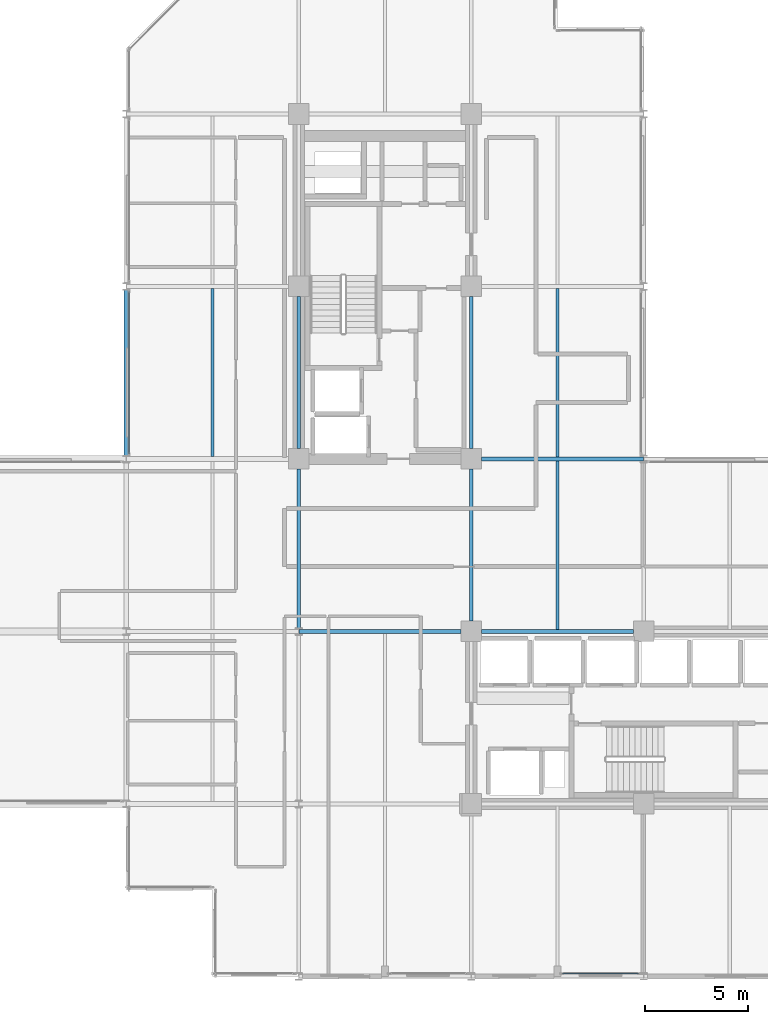
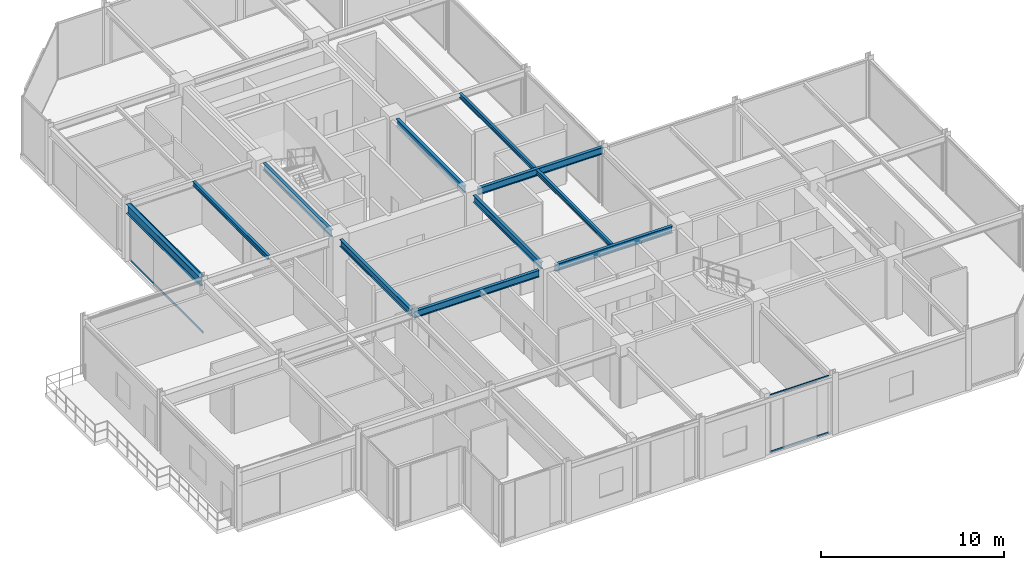
# One storey, part 10 of 29: 11 beams, 4 members, 2 elements without a shape of their own.
"""IFC4 building model written with IfcOpenShell, lengths in metres."""

from ifc_helpers import new_model, si_unit, direction, frame, origin, origin_2d, place, context, subcontext, project, spatial, hollow_rectangle, i_section, extrude, material, layer, layer_set, material_profile, profile_set, type_object, element, aggregate, save


model = new_model("IFC4")

# Units and contexts
model_context = context("Model", 3, precision=1e-05, world=origin(), true_north=direction((0.0, 1.0)))
body_context = subcontext(model_context, "Body", "Model", "MODEL_VIEW")
ifc_project = project(units=[si_unit("LENGTHUNIT", "METRE"), si_unit("AREAUNIT", "SQUARE_METRE"), si_unit("VOLUMEUNIT", "CUBIC_METRE"), si_unit("PLANEANGLEUNIT", "RADIAN"), si_unit("MASSUNIT", "GRAM", prefix="KILO")], contexts=[model_context])

# Site, building, storey
site_placement = place(None, origin())
site = spatial("IfcSite", under=ifc_project, at=site_placement, CompositionType="ELEMENT")
building_placement = place(site_placement, origin())
building = spatial("IfcBuilding", under=site, at=building_placement, Name="Nerrivon Quay Data Exchange", CompositionType="ELEMENT")
storey_placement = place(building_placement, frame((0.0, 0.0, 183.699951171875)))
storey = spatial("IfcBuildingStorey", under=building, at=storey_placement, Name="L43", CompositionType="ELEMENT", Elevation=183.699951171875)

# Beams
ifc_material_1 = material(Name="Steel Grade 350", Category="steel")
ifc_material_profile_1 = material_profile(ifc_material_1, i_section(OverallWidth=0.22802734375, OverallDepth=0.60205078125, WebThickness=0.010498046875, FlangeThickness=0.014892578125, FilletRadius=0.013916015625, at=origin_2d()), Name="610UB101")
ifc_profile_set_1 = profile_set([ifc_material_profile_1], Name="Steel Grade 350")
beam_type_1 = type_object("IfcBeamType", Name="BM-G2-610UB101", PredefinedType="BEAM", material=ifc_profile_set_1)
beam_1_placement = place(storey_placement, frame((0.0, 25.375, 3.524169921875), z_axis=(0.0, 1.0, 0.0), x_axis=(-1.0, 0.0, 0.0)))
element("IfcBeam", 1, at=beam_1_placement, inside=storey, type_object=beam_type_1, Name="L43 NS Girder X=0.0 (25.2..33.6)", PredefinedType="BEAM", context=body_context, shape_type="SweptSolid", body=[
    extrude(i_section(OverallWidth=0.22802734375, OverallDepth=0.60205078125, WebThickness=0.010498046875, FlangeThickness=0.014892578125, FilletRadius=0.013916015625, at=origin_2d()), origin(), (0.0, 0.0, 1.0), 8.050048828125),
])
ifc_material_profile_2 = material_profile(ifc_material_1, i_section(OverallWidth=0.19091796875, OverallDepth=0.4599609375, WebThickness=0.010009765625, FlangeThickness=0.01611328125, FilletRadius=0.011474609375, at=origin_2d()), Name="460UB82.1")
ifc_profile_set_2 = profile_set([ifc_material_profile_2], Name="Steel Grade 350")
beam_type_2 = type_object("IfcBeamType", Name="BM-G5-460UB82", PredefinedType="BEAM", material=ifc_profile_set_2)
beam_2_placement = place(storey_placement, frame((8.409912109375, 16.800048828125, 3.594970703125), z_axis=(1.0, 0.0, 0.0), x_axis=(0.0, 1.0, 0.0)))
element("IfcBeam", 2, at=beam_2_placement, inside=storey, type_object=beam_type_2, Name="L43 EW Girder Y=16.8 (8.4..16.8)", PredefinedType="BEAM", context=body_context, shape_type="SweptSolid", body=[
    extrude(i_section(OverallWidth=0.19091796875, OverallDepth=0.4599609375, WebThickness=0.010009765625, FlangeThickness=0.01611328125, FilletRadius=0.011474609375, at=origin_2d()), origin(), (0.0, 0.0, 1.0), 7.89013671875),
])
beam_3_placement = place(storey_placement, frame((17.300048828125, 16.800048828125, 3.594970703125), z_axis=(1.0, 0.0, 0.0), x_axis=(0.0, 1.0, 0.0)))
element("IfcBeam", 3, at=beam_3_placement, inside=storey, type_object=beam_type_2, Name="L43 EW Girder Y=16.8 (16.8..25.2)", PredefinedType="BEAM", context=body_context, shape_type="SweptSolid", body=[
    extrude(i_section(OverallWidth=0.19091796875, OverallDepth=0.4599609375, WebThickness=0.010009765625, FlangeThickness=0.01611328125, FilletRadius=0.011474609375, at=origin_2d()), origin(), (0.0, 0.0, 1.0), 7.39990234375),
])
beam_4_placement = place(storey_placement, frame((17.300048828125, 25.199951171875, 3.594970703125), z_axis=(1.0, 0.0, 0.0), x_axis=(0.0, 1.0, 0.0)))
element("IfcBeam", 4, at=beam_4_placement, inside=storey, type_object=beam_type_2, Name="L43 EW Girder Y=25.2 (16.8..25.2)", PredefinedType="BEAM", context=body_context, shape_type="SweptSolid", body=[
    extrude(i_section(OverallWidth=0.19091796875, OverallDepth=0.4599609375, WebThickness=0.010009765625, FlangeThickness=0.01611328125, FilletRadius=0.011474609375, at=origin_2d()), origin(), (0.0, 0.0, 1.0), 7.889892578125),
])
ifc_material_profile_3 = material_profile(ifc_material_1, i_section(OverallWidth=0.18994140625, OverallDepth=0.4541015625, WebThickness=0.008544921875, FlangeThickness=0.0126953125, FilletRadius=0.011474609375, at=origin_2d()), Name="460UB67.1")
ifc_profile_set_3 = profile_set([ifc_material_profile_3], Name="Steel Grade 350")
beam_type_3 = type_object("IfcBeamType", Name="BM-G6-460UB67", PredefinedType="BEAM", material=ifc_profile_set_3)
beam_5_placement = place(storey_placement, frame((8.39990234375, 16.97509765625, 3.59814453125), z_axis=(0.0, 1.0, 0.0), x_axis=(-1.0, 0.0, 0.0)))
element("IfcBeam", 5, at=beam_5_placement, inside=storey, type_object=beam_type_3, Name="L43 NS Girder X=8.4 (16.8..25.2)", PredefinedType="BEAM", context=body_context, shape_type="SweptSolid", body=[
    extrude(i_section(OverallWidth=0.18994140625, OverallDepth=0.4541015625, WebThickness=0.008544921875, FlangeThickness=0.0126953125, FilletRadius=0.011474609375, at=origin_2d()), origin(), (0.0, 0.0, 1.0), 7.724853515625),
])
beam_6_placement = place(storey_placement, frame((8.39990234375, 25.699951171875, 3.59814453125), z_axis=(0.0, 1.0, 0.0), x_axis=(-1.0, 0.0, 0.0)))
element("IfcBeam", 6, at=beam_6_placement, inside=storey, type_object=beam_type_3, Name="L43 NS Girder X=8.4 (25.2..33.6)", PredefinedType="BEAM", context=body_context, shape_type="SweptSolid", body=[
    extrude(i_section(OverallWidth=0.18994140625, OverallDepth=0.4541015625, WebThickness=0.008544921875, FlangeThickness=0.0126953125, FilletRadius=0.011474609375, at=origin_2d()), origin(), (0.0, 0.0, 1.0), 7.400146484375),
])
beam_7_placement = place(storey_placement, frame((16.800048828125, 17.300048828125, 3.59814453125), z_axis=(0.0, 1.0, 0.0), x_axis=(-1.0, 0.0, 0.0)))
element("IfcBeam", 7, at=beam_7_placement, inside=storey, type_object=beam_type_3, Name="L43 NS Girder X=16.8 (16.8..25.2)", PredefinedType="BEAM", context=body_context, shape_type="SweptSolid", body=[
    extrude(i_section(OverallWidth=0.18994140625, OverallDepth=0.4541015625, WebThickness=0.008544921875, FlangeThickness=0.0126953125, FilletRadius=0.011474609375, at=origin_2d()), origin(), (0.0, 0.0, 1.0), 7.39990234375),
])
beam_8_placement = place(storey_placement, frame((16.800048828125, 25.699951171875, 3.59814453125), z_axis=(0.0, 1.0, 0.0), x_axis=(-1.0, 0.0, 0.0)))
element("IfcBeam", 8, at=beam_8_placement, inside=storey, type_object=beam_type_3, Name="L43 NS Girder X=16.8 (25.2..33.6)", PredefinedType="BEAM", context=body_context, shape_type="SweptSolid", body=[
    extrude(i_section(OverallWidth=0.18994140625, OverallDepth=0.4541015625, WebThickness=0.008544921875, FlangeThickness=0.0126953125, FilletRadius=0.011474609375, at=origin_2d()), origin(), (0.0, 0.0, 1.0), 7.400146484375),
])
ifc_material_profile_4 = material_profile(ifc_material_1, i_section(OverallWidth=0.166015625, OverallDepth=0.306884765625, WebThickness=0.006591796875, FlangeThickness=0.01171875, FilletRadius=0.011474609375, at=origin_2d()), Name="310UB46.2")
ifc_profile_set_4 = profile_set([ifc_material_profile_4], Name="Steel Grade 350")
beam_type_4 = type_object("IfcBeamType", Name="BM-J5-310UB46", PredefinedType="JOIST", material=ifc_profile_set_4)
beam_9_placement = place(storey_placement, frame((4.199951171875, 25.314453125, 3.671630859375), z_axis=(0.0, 1.0, 0.0), x_axis=(-1.0, 0.0, 0.0)))
element("IfcBeam", 9, at=beam_9_placement, inside=storey, type_object=beam_type_4, Name="L43 Secondary Joist X=4.2 (25.2..33.6)", PredefinedType="JOIST", context=body_context, shape_type="SweptSolid", body=[
    extrude(i_section(OverallWidth=0.166015625, OverallDepth=0.306884765625, WebThickness=0.006591796875, FlangeThickness=0.01171875, FilletRadius=0.011474609375, at=origin_2d()), origin(), (0.0, 0.0, 1.0), 8.18994140625),
])
for number, where, z_axis, x_axis, name in (
    (10, (21.0, 16.8955078125, 3.671630859375), (0.0, 1.0, 0.0), (-1.0, 0.0, 0.0), "L43 Secondary Joist X=21.0 (16.8..25.2)"),
    (11, (21.0, 25.29541015625, 3.671630859375), (0.0, 1.0, 0.0), (-1.0, 0.0, 0.0), "L43 Secondary Joist X=21.0 (25.2..33.6)"),
):
    element("IfcBeam", number, at=place(storey_placement, frame(where, z_axis=z_axis, x_axis=x_axis)), inside=storey, type_object=beam_type_4, Name=name, PredefinedType="JOIST", context=body_context, shape_type="SweptSolid", body=[
        extrude(i_section(OverallWidth=0.166015625, OverallDepth=0.306884765625, WebThickness=0.006591796875, FlangeThickness=0.01171875, FilletRadius=0.011474609375, at=origin_2d()), origin(), (0.0, 0.0, 1.0), 8.208984375),
    ])

# Curtain wall, members
ifc_material_2 = material(Name="Anodised aluminium 6063-T6", Category="aluminium")
ifc_layer = layer(ifc_material_2, 0.195068359375)
ifc_layer_set = layer_set([ifc_layer], Name="Anodised aluminium 6063-T6")
curtain_wall_type = type_object("IfcCurtainWallType", Name="CW-SYS-06", PredefinedType="NOTDEFINED", material=ifc_layer_set)
curtain_wall_1_placement = place(storey_placement, origin())
curtain_wall_1 = element("IfcCurtainWall", 12, at=curtain_wall_1_placement, inside=storey, type_object=curtain_wall_type, Name="L43 Unitised Curtain Wall 4", PredefinedType="NOTDEFINED")
ifc_material_profile_5 = material_profile(ifc_material_2, hollow_rectangle(XDim=0.06005859375, YDim=0.1201171875, WallThickness=0.003173828125, at=origin_2d()), Name="ALU-TRAN-120x60")
ifc_profile_set_5 = profile_set([ifc_material_profile_5], Name="Anodised aluminium 6063-T6")
member_type = type_object("IfcMemberType", Name="CWT-120x60", PredefinedType="USERDEFINED", material=ifc_profile_set_5)
member_1_placement = place(storey_placement, frame((0.139892578125, 25.449951171875, 0.032470703125), z_axis=(0.0, 1.0, 0.0), x_axis=(-1.0, 0.0, 0.0)))
member_1 = element("IfcMember", 13, at=member_1_placement, type_object=member_type, Name="CW06 transom 1.1", ObjectType="TRANSOM", PredefinedType="USERDEFINED", context=body_context, shape_type="SweptSolid", body=[
    extrude(hollow_rectangle(XDim=0.06005859375, YDim=0.1201171875, WallThickness=0.003173828125, at=origin_2d()), origin(), (0.0, 0.0, 1.0), 7.900146484375),
])
member_2_placement = place(storey_placement, frame((0.139892578125, 25.449951171875, 3.79248046875), z_axis=(0.0, 1.0, 0.0), x_axis=(-1.0, 0.0, 0.0)))
member_2 = element("IfcMember", 14, at=member_2_placement, type_object=member_type, Name="CW06 transom 1.2", ObjectType="TRANSOM", PredefinedType="USERDEFINED", context=body_context, shape_type="SweptSolid", body=[
    extrude(hollow_rectangle(XDim=0.06005859375, YDim=0.1201171875, WallThickness=0.003173828125, at=origin_2d()), origin(), (0.0, 0.0, 1.0), 7.900146484375),
])
aggregate(curtain_wall_1, [member_1, member_2])

curtain_wall_2_placement = place(storey_placement, origin())
curtain_wall_2 = element("IfcCurtainWall", 15, at=curtain_wall_2_placement, inside=storey, type_object=curtain_wall_type, Name="L43 Unitised Curtain Wall 24", PredefinedType="NOTDEFINED")
member_3_placement = place(storey_placement, frame((24.949951171875, 0.139892578125, 0.032470703125), z_axis=(-1.0, 0.0, 0.0), x_axis=(0.0, -1.0, 0.0)))
member_3 = element("IfcMember", 16, at=member_3_placement, type_object=member_type, Name="CW06 transom 1.1", ObjectType="TRANSOM", PredefinedType="USERDEFINED", context=body_context, shape_type="SweptSolid", body=[
    extrude(hollow_rectangle(XDim=0.06005859375, YDim=0.1201171875, WallThickness=0.003173828125, at=origin_2d()), origin(), (0.0, 0.0, 1.0), 3.699951171875),
])
member_4_placement = place(storey_placement, frame((24.949951171875, 0.139892578125, 3.79248046875), z_axis=(-1.0, 0.0, 0.0), x_axis=(0.0, -1.0, 0.0)))
member_4 = element("IfcMember", 17, at=member_4_placement, type_object=member_type, Name="CW06 transom 1.2", ObjectType="TRANSOM", PredefinedType="USERDEFINED", context=body_context, shape_type="SweptSolid", body=[
    extrude(hollow_rectangle(XDim=0.06005859375, YDim=0.1201171875, WallThickness=0.003173828125, at=origin_2d()), origin(), (0.0, 0.0, 1.0), 3.699951171875),
])
aggregate(curtain_wall_2, [member_3, member_4])

save(model, "model.ifc")
